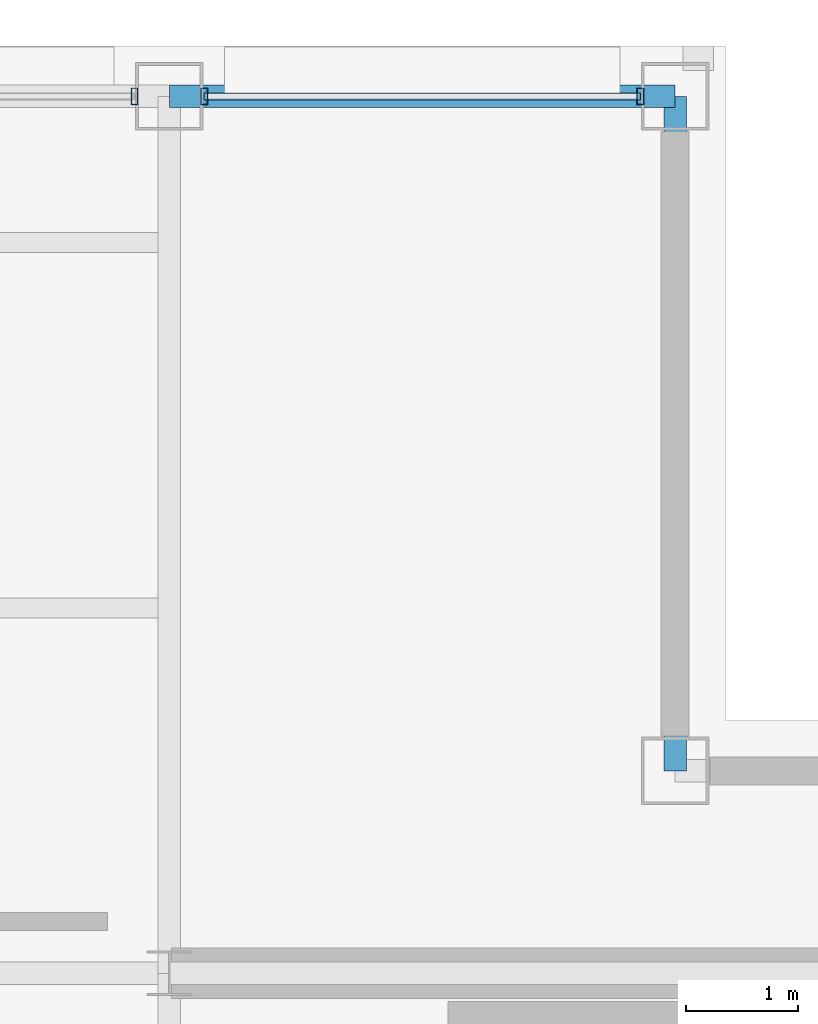
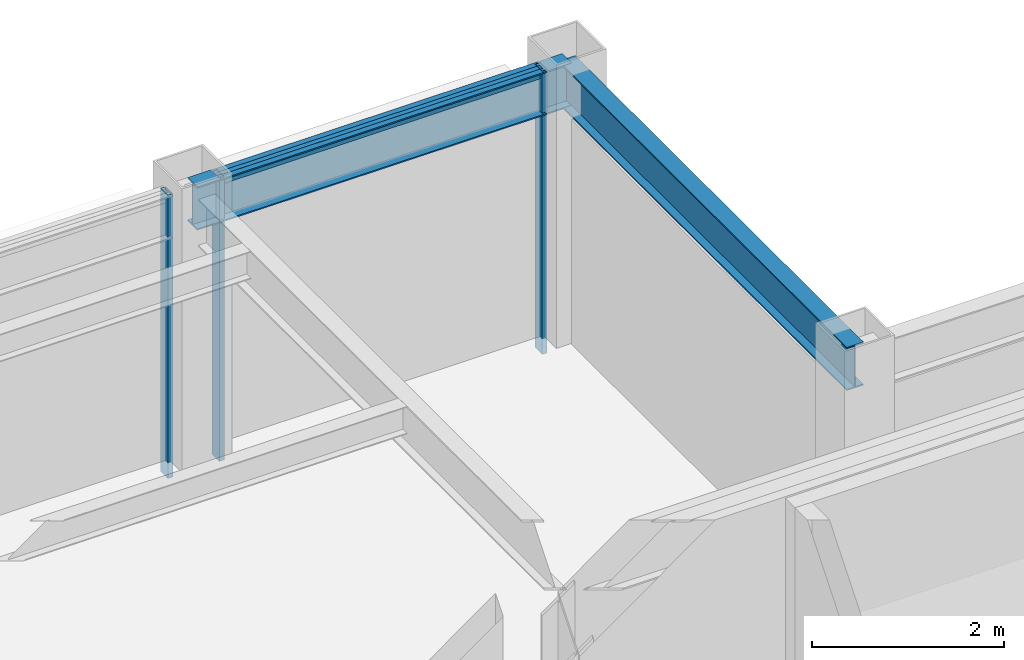
# One storey, part 18 of 24: 4 members, 2 beams, 2 elements without a shape of their own.
"""IFC4 building model written with IfcOpenShell, lengths in metres."""

from ifc_helpers import new_model, si_unit, direction, frame, origin, origin_2d, place, context, subcontext, project, spatial, hollow_rectangle, i_section, extrude, material, layer, layer_set, material_profile, profile_set, type_object, element, aggregate, save


model = new_model("IFC4")

# Units and contexts
model_context = context("Model", 3, precision=1e-05, world=origin(), true_north=direction((0.0, 1.0)))
body_context = subcontext(model_context, "Body", "Model", "MODEL_VIEW")
ifc_project = project(units=[si_unit("LENGTHUNIT", "METRE"), si_unit("AREAUNIT", "SQUARE_METRE"), si_unit("VOLUMEUNIT", "CUBIC_METRE"), si_unit("PLANEANGLEUNIT", "RADIAN"), si_unit("MASSUNIT", "GRAM", prefix="KILO")], contexts=[model_context])

# Site, building, storey
site_placement = place(None, origin())
site = spatial("IfcSite", under=ifc_project, at=site_placement, CompositionType="ELEMENT")
building_placement = place(site_placement, origin())
building = spatial("IfcBuilding", under=site, at=building_placement, Name="Brelmoor Portico Tower", CompositionType="ELEMENT")
storey_placement = place(building_placement, frame((0.0, 0.0, 254.39990234375)))
storey = spatial("IfcBuildingStorey", under=building, at=storey_placement, Name="L67", CompositionType="ELEMENT", Elevation=254.39990234375)

# Beams
ifc_material_1 = material(Name="Steel Q355B", Category="steel")
ifc_material_profile_1 = material_profile(ifc_material_1, i_section(OverallWidth=0.199951171875, OverallDepth=0.550048828125, WebThickness=0.010009765625, FlangeThickness=0.01611328125, at=origin_2d()), Name="HN 550x200x10x16")
ifc_profile_set_1 = profile_set([ifc_material_profile_1], Name="Steel Q355B")
beam_type = type_object("IfcBeamType", Name="BM-SP-550", PredefinedType="SPANDREL", material=ifc_profile_set_1)
beam_1_placement = place(storey_placement, frame((8.050048828125, 17.550048828125, 3.125), z_axis=(1.0, 0.0, 0.0), x_axis=(0.0, 1.0, 0.0)))
element("IfcBeam", 1, at=beam_1_placement, inside=storey, type_object=beam_type, Name="L67 Perimeter Spandrel Beam SP-10", PredefinedType="SPANDREL", context=body_context, shape_type="SweptSolid", body=[
    extrude(i_section(OverallWidth=0.199951171875, OverallDepth=0.550048828125, WebThickness=0.010009765625, FlangeThickness=0.01611328125, at=origin_2d()), origin(), (0.0, 0.0, 1.0), 4.5),
])
beam_2_placement = place(storey_placement, frame((12.550048828125, 11.550048828125, 3.125), z_axis=(0.0, 1.0, 0.0), x_axis=(-1.0, 0.0, 0.0)))
element("IfcBeam", 2, at=beam_2_placement, inside=storey, type_object=beam_type, Name="L67 Perimeter Spandrel Beam SP-17", PredefinedType="SPANDREL", context=body_context, shape_type="SweptSolid", body=[
    extrude(i_section(OverallWidth=0.199951171875, OverallDepth=0.550048828125, WebThickness=0.010009765625, FlangeThickness=0.01611328125, at=origin_2d()), origin(), (0.0, 0.0, 1.0), 6.0),
])

# Curtain wall, member
ifc_material_2 = material(Name="Anodised Aluminium Alloy 6063-T6", Category="aluminium")
ifc_layer = layer(ifc_material_2, 0.179931640625)
ifc_layer_set = layer_set([ifc_layer], Name="Anodised Aluminium Alloy 6063-T6")
curtain_wall_type = type_object("IfcCurtainWallType", Name="CW-TOWER-Z4-XB", PredefinedType="NOTDEFINED", material=ifc_layer_set)
curtain_wall_1_placement = place(storey_placement, origin())
curtain_wall_1 = element("IfcCurtainWall", 3, at=curtain_wall_1_placement, inside=storey, type_object=curtain_wall_type, Name="L67 Curtain Wall CW-L67-02-2", PredefinedType="NOTDEFINED")
ifc_material_profile_2 = material_profile(ifc_material_2, hollow_rectangle(XDim=0.06005859375, YDim=0.14990234375, WallThickness=0.00390625, at=origin_2d()), Name="ALU MULLION 60x150")
ifc_profile_set_2 = profile_set([ifc_material_profile_2], Name="Anodised Aluminium Alloy 6063-T6")
member_type_1 = type_object("IfcMemberType", Name="MB-CW-MULL-150", PredefinedType="MULLION", material=ifc_profile_set_2)
member_1_placement = place(storey_placement, frame((7.739990234375, 17.550048828125, -0.199951171875), z_axis=(0.0, 0.0, 1.0), x_axis=(1.0, 0.0, 0.0)))
member_1 = element("IfcMember", 4, at=member_1_placement, type_object=member_type_1, Name="CW-L67-02-2 Mullion 01", PredefinedType="MULLION", context=body_context, shape_type="SweptSolid", body=[
    extrude(hollow_rectangle(XDim=0.06005859375, YDim=0.14990234375, WallThickness=0.00390625, at=origin_2d()), origin(), (0.0, 0.0, 1.0), 3.60009765625),
])
aggregate(curtain_wall_1, [member_1])

# Curtain wall, members
curtain_wall_2_placement = place(storey_placement, origin())
curtain_wall_2 = element("IfcCurtainWall", 5, at=curtain_wall_2_placement, inside=storey, type_object=curtain_wall_type, Name="L67 Curtain Wall CW-L67-02-3", PredefinedType="NOTDEFINED")
member_2_placement = place(storey_placement, frame((8.360107421875, 17.550048828125, -0.199951171875), z_axis=(0.0, 0.0, 1.0), x_axis=(1.0, 0.0, 0.0)))
member_2 = element("IfcMember", 6, at=member_2_placement, type_object=member_type_1, Name="CW-L67-02-3 Mullion 00", PredefinedType="MULLION", context=body_context, shape_type="SweptSolid", body=[
    extrude(hollow_rectangle(XDim=0.06005859375, YDim=0.14990234375, WallThickness=0.00390625, at=origin_2d()), origin(), (0.0, 0.0, 1.0), 3.60009765625),
])
member_3_placement = place(storey_placement, frame((12.239990234375, 17.550048828125, -0.199951171875), z_axis=(0.0, 0.0, 1.0), x_axis=(1.0, 0.0, 0.0)))
member_3 = element("IfcMember", 7, at=member_3_placement, type_object=member_type_1, Name="CW-L67-02-3 Mullion 01", PredefinedType="MULLION", context=body_context, shape_type="SweptSolid", body=[
    extrude(hollow_rectangle(XDim=0.06005859375, YDim=0.14990234375, WallThickness=0.00390625, at=origin_2d()), origin(), (0.0, 0.0, 1.0), 3.60009765625),
])
ifc_material_profile_3 = material_profile(ifc_material_2, hollow_rectangle(XDim=0.06005859375, YDim=0.125, WallThickness=0.00341796875, at=origin_2d()), Name="ALU TRANSOM 60x125")
ifc_profile_set_3 = profile_set([ifc_material_profile_3], Name="Anodised Aluminium Alloy 6063-T6")
member_type_2 = type_object("IfcMemberType", Name="MB-CW-TRAN-125", PredefinedType="USERDEFINED", material=ifc_profile_set_3)
member_4_placement = place(storey_placement, frame((8.360107421875, 17.550048828125, 3.337646484375), z_axis=(1.0, 0.0, 0.0), x_axis=(0.0, 1.0, 0.0)))
member_4 = element("IfcMember", 8, at=member_4_placement, type_object=member_type_2, Name="CW-L67-02-3 Transom 1-00", ObjectType="TRANSOM", PredefinedType="USERDEFINED", context=body_context, shape_type="SweptSolid", body=[
    extrude(hollow_rectangle(XDim=0.06005859375, YDim=0.125, WallThickness=0.00341796875, at=origin_2d()), origin(), (0.0, 0.0, 1.0), 3.8798828125),
])
aggregate(curtain_wall_2, [member_2, member_3, member_4])

save(model, "model.ifc")
